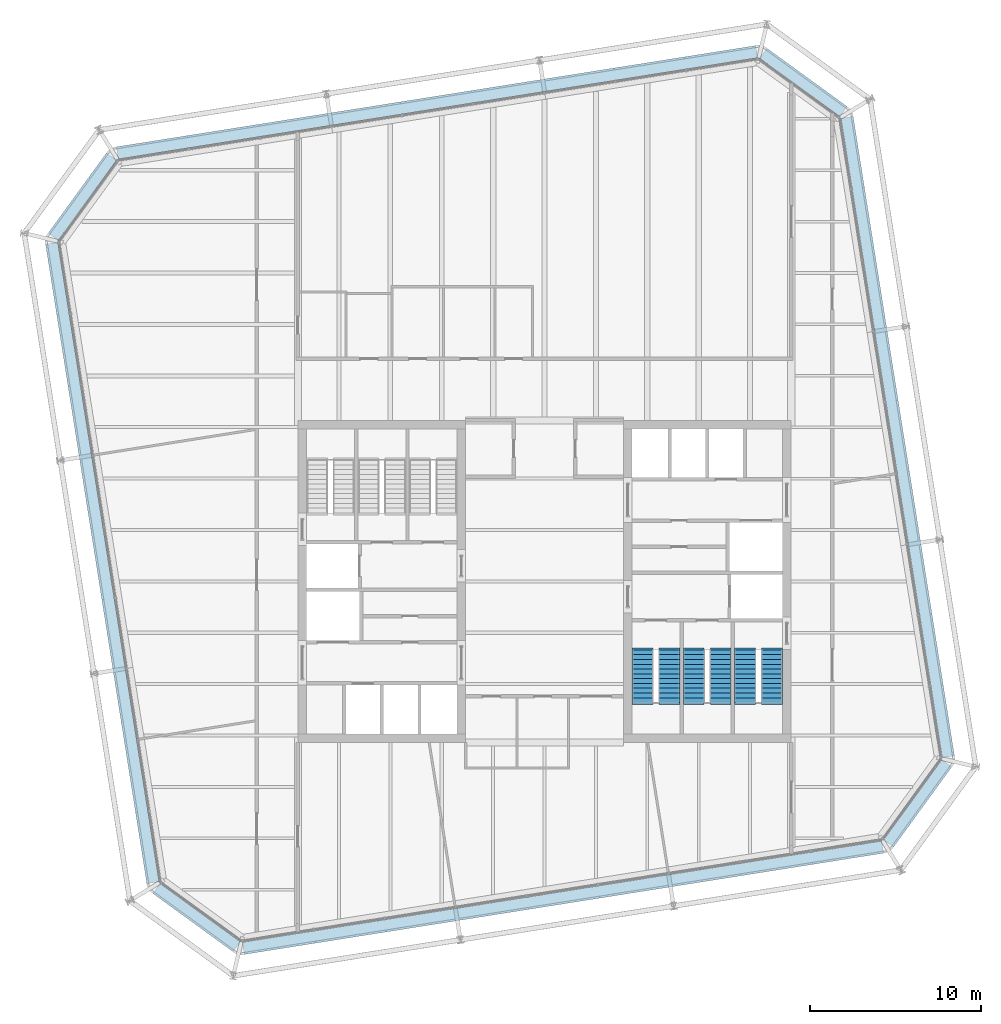
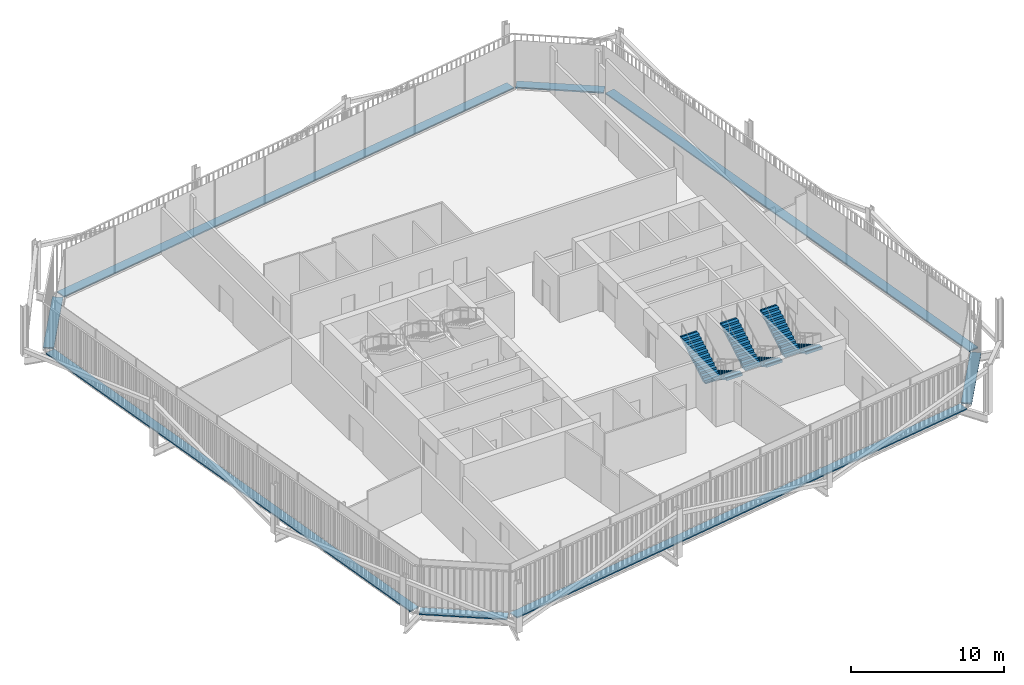
# One storey, part 20 of 21: 8 discrete accessories, 6 stair flights, 3 elements without a shape of their own.
"""IFC4 building model written with IfcOpenShell, lengths in metres."""

from ifc_helpers import new_model, si_unit, direction, frame, origin, origin_2d, place, context, subcontext, project, spatial, polyline, rectangle, outline, extrude, material, type_object, element, aggregate, save


model = new_model("IFC4")

# Units and contexts
model_context = context("Model", 3, precision=1e-05, world=origin(), true_north=direction((0.0, 1.0)))
body_context = subcontext(model_context, "Body", "Model", "MODEL_VIEW")
ifc_project = project(units=[si_unit("LENGTHUNIT", "METRE"), si_unit("AREAUNIT", "SQUARE_METRE"), si_unit("VOLUMEUNIT", "CUBIC_METRE"), si_unit("PLANEANGLEUNIT", "RADIAN"), si_unit("MASSUNIT", "GRAM", prefix="KILO")], contexts=[model_context])

# Site, building, storey
site_placement = place(None, origin())
site = spatial("IfcSite", under=ifc_project, at=site_placement, CompositionType="ELEMENT")
building_placement = place(site_placement, origin())
building = spatial("IfcBuilding", under=site, at=building_placement, Name="Millrace Tower", CompositionType="ELEMENT")
storey_placement = place(building_placement, frame((0.0, 0.0, 263.0)))
storey = spatial("IfcBuildingStorey", under=building, at=storey_placement, Name="L60", CompositionType="ELEMENT", Elevation=263.0)

# Stair, stair flights
ifc_material_1 = material(Name="Concrete C35", Category="concrete")
stair_type = type_object("IfcStairType", Name="Exit stair", PredefinedType="HALF_TURN_STAIR", material=ifc_material_1)
placement = place(storey_placement, origin())
stair_1 = element("IfcStair", 1, at=placement, inside=storey, type_object=stair_type, Name="Stair 1 E L60", PredefinedType="HALF_TURN_STAIR")
ifc_material_2 = material(Name="Concrete C35", Category="concrete")
stair_flight_type = type_object("IfcStairFlightType", Name="Exit stair flight", PredefinedType="STRAIGHT", material=ifc_material_2)
stair_flight_1_placement = place(storey_placement, frame((13.2900390625, -4.0, 0.0), z_axis=(0.0, 0.0, 1.0), x_axis=(0.0, -1.0, 0.0)))
stair_flight_1 = element("IfcStairFlight", 2, at=stair_flight_1_placement, type_object=stair_flight_type, Name="ST12 flight 1", NumberOfRisers=12, NumberOfTreads=11, PredefinedType="STRAIGHT", RiserHeight=0.1625, TreadLength=0.28, context=body_context, shape_type="SweptSolid", body=[
    extrude(outline(polyline([(-0.1201171875, -0.0400390625), (-0.1201171875, 0.0), (0.0, 0.0), (0.0, 0.16259765625), (0.280029296875, 0.16259765625), (0.280029296875, 0.324951171875), (0.56005859375, 0.324951171875), (0.56005859375, 0.487548828125), (0.840087890625, 0.487548828125), (0.840087890625, 0.64990234375), (1.1201171875, 0.64990234375), (1.1201171875, 0.8125), (1.39990234375, 0.8125), (1.39990234375, 0.97509765625), (1.679931640625, 0.97509765625), (1.679931640625, 1.137451171875), (1.9599609375, 1.137451171875), (1.9599609375, 1.300048828125), (2.239990234375, 1.300048828125), (2.239990234375, 1.46240234375), (2.52001953125, 1.46240234375), (2.52001953125, 1.625), (2.800048828125, 1.625), (2.800048828125, 1.78759765625), (3.080078125, 1.78759765625), (3.080078125, 1.8076171875), (3.199951171875, 1.8076171875), (3.199951171875, 1.6142578125), (3.080078125, 1.6142578125), (0.298583984375, 0.0), (0.298583984375, -0.0400390625), (-0.1201171875, -0.0400390625)])), frame((0.0, 0.60986328125, 0.0), z_axis=(0.0, -1.0, 0.0), x_axis=(1.0, 0.0, 0.0)), (0.0, 0.0, 1.0), 1.219970703125),
])
stair_flight_2_placement = place(storey_placement, frame((11.7099609375, -7.080078125, 1.949951171875), z_axis=(0.0, 0.0, 1.0), x_axis=(0.0, 1.0, 0.0)))
stair_flight_2 = element("IfcStairFlight", 3, at=stair_flight_2_placement, type_object=stair_flight_type, Name="ST12 flight 2", NumberOfRisers=12, NumberOfTreads=11, PredefinedType="STRAIGHT", RiserHeight=0.1625, TreadLength=0.28, context=body_context, shape_type="SweptSolid", body=[
    extrude(outline(polyline([(-0.1201171875, -0.0400390625), (-0.1201171875, 0.0), (0.0, 0.0), (0.0, 0.16259765625), (0.280029296875, 0.16259765625), (0.280029296875, 0.324951171875), (0.56005859375, 0.324951171875), (0.56005859375, 0.487548828125), (0.840087890625, 0.487548828125), (0.840087890625, 0.64990234375), (1.1201171875, 0.64990234375), (1.1201171875, 0.8125), (1.39990234375, 0.8125), (1.39990234375, 0.97509765625), (1.679931640625, 0.97509765625), (1.679931640625, 1.137451171875), (1.9599609375, 1.137451171875), (1.9599609375, 1.300048828125), (2.239990234375, 1.300048828125), (2.239990234375, 1.46240234375), (2.52001953125, 1.46240234375), (2.52001953125, 1.625), (2.800048828125, 1.625), (2.800048828125, 1.78759765625), (3.080078125, 1.78759765625), (3.080078125, 1.8076171875), (3.199951171875, 1.8076171875), (3.199951171875, 1.6142578125), (3.080078125, 1.6142578125), (0.298583984375, 0.0), (0.298583984375, -0.0400390625), (-0.1201171875, -0.0400390625)])), frame((0.0, 0.60986328125, 0.0), z_axis=(0.0, -1.0, 0.0), x_axis=(1.0, 0.0, 0.0)), (0.0, 0.0, 1.0), 1.219970703125),
])
aggregate(stair_1, [stair_flight_1, stair_flight_2])

stair_2 = element("IfcStair", 4, at=placement, inside=storey, type_object=stair_type, Name="Stair 2 E L60", PredefinedType="HALF_TURN_STAIR")
stair_flight_3_placement = place(storey_placement, frame((10.2900390625, -4.0, 0.0), z_axis=(0.0, 0.0, 1.0), x_axis=(0.0, -1.0, 0.0)))
stair_flight_3 = element("IfcStairFlight", 5, at=stair_flight_3_placement, type_object=stair_flight_type, Name="ST12 flight 1", NumberOfRisers=12, NumberOfTreads=11, PredefinedType="STRAIGHT", RiserHeight=0.1625, TreadLength=0.28, context=body_context, shape_type="SweptSolid", body=[
    extrude(outline(polyline([(-0.1201171875, -0.0400390625), (-0.1201171875, 0.0), (0.0, 0.0), (0.0, 0.16259765625), (0.280029296875, 0.16259765625), (0.280029296875, 0.324951171875), (0.56005859375, 0.324951171875), (0.56005859375, 0.487548828125), (0.840087890625, 0.487548828125), (0.840087890625, 0.64990234375), (1.1201171875, 0.64990234375), (1.1201171875, 0.8125), (1.39990234375, 0.8125), (1.39990234375, 0.97509765625), (1.679931640625, 0.97509765625), (1.679931640625, 1.137451171875), (1.9599609375, 1.137451171875), (1.9599609375, 1.300048828125), (2.239990234375, 1.300048828125), (2.239990234375, 1.46240234375), (2.52001953125, 1.46240234375), (2.52001953125, 1.625), (2.800048828125, 1.625), (2.800048828125, 1.78759765625), (3.080078125, 1.78759765625), (3.080078125, 1.8076171875), (3.199951171875, 1.8076171875), (3.199951171875, 1.6142578125), (3.080078125, 1.6142578125), (0.298583984375, 0.0), (0.298583984375, -0.0400390625), (-0.1201171875, -0.0400390625)])), frame((0.0, 0.60986328125, 0.0), z_axis=(0.0, -1.0, 0.0), x_axis=(1.0, 0.0, 0.0)), (0.0, 0.0, 1.0), 1.219970703125),
])
stair_flight_4_placement = place(storey_placement, frame((8.7099609375, -7.080078125, 1.949951171875), z_axis=(0.0, 0.0, 1.0), x_axis=(0.0, 1.0, 0.0)))
stair_flight_4 = element("IfcStairFlight", 6, at=stair_flight_4_placement, type_object=stair_flight_type, Name="ST12 flight 2", NumberOfRisers=12, NumberOfTreads=11, PredefinedType="STRAIGHT", RiserHeight=0.1625, TreadLength=0.28, context=body_context, shape_type="SweptSolid", body=[
    extrude(outline(polyline([(-0.1201171875, -0.0400390625), (-0.1201171875, 0.0), (0.0, 0.0), (0.0, 0.16259765625), (0.280029296875, 0.16259765625), (0.280029296875, 0.324951171875), (0.56005859375, 0.324951171875), (0.56005859375, 0.487548828125), (0.840087890625, 0.487548828125), (0.840087890625, 0.64990234375), (1.1201171875, 0.64990234375), (1.1201171875, 0.8125), (1.39990234375, 0.8125), (1.39990234375, 0.97509765625), (1.679931640625, 0.97509765625), (1.679931640625, 1.137451171875), (1.9599609375, 1.137451171875), (1.9599609375, 1.300048828125), (2.239990234375, 1.300048828125), (2.239990234375, 1.46240234375), (2.52001953125, 1.46240234375), (2.52001953125, 1.625), (2.800048828125, 1.625), (2.800048828125, 1.78759765625), (3.080078125, 1.78759765625), (3.080078125, 1.8076171875), (3.199951171875, 1.8076171875), (3.199951171875, 1.6142578125), (3.080078125, 1.6142578125), (0.298583984375, 0.0), (0.298583984375, -0.0400390625), (-0.1201171875, -0.0400390625)])), frame((0.0, 0.60986328125, 0.0), z_axis=(0.0, -1.0, 0.0), x_axis=(1.0, 0.0, 0.0)), (0.0, 0.0, 1.0), 1.219970703125),
])
aggregate(stair_2, [stair_flight_3, stair_flight_4])

stair_3 = element("IfcStair", 7, at=placement, inside=storey, type_object=stair_type, Name="Stair 3 E L60", PredefinedType="HALF_TURN_STAIR")
stair_flight_5_placement = place(storey_placement, frame((7.2900390625, -4.0, 0.0), z_axis=(0.0, 0.0, 1.0), x_axis=(0.0, -1.0, 0.0)))
stair_flight_5 = element("IfcStairFlight", 8, at=stair_flight_5_placement, type_object=stair_flight_type, Name="ST12 flight 1", NumberOfRisers=12, NumberOfTreads=11, PredefinedType="STRAIGHT", RiserHeight=0.1625, TreadLength=0.28, context=body_context, shape_type="SweptSolid", body=[
    extrude(outline(polyline([(-0.1201171875, -0.0400390625), (-0.1201171875, 0.0), (0.0, 0.0), (0.0, 0.16259765625), (0.280029296875, 0.16259765625), (0.280029296875, 0.324951171875), (0.56005859375, 0.324951171875), (0.56005859375, 0.487548828125), (0.840087890625, 0.487548828125), (0.840087890625, 0.64990234375), (1.1201171875, 0.64990234375), (1.1201171875, 0.8125), (1.39990234375, 0.8125), (1.39990234375, 0.97509765625), (1.679931640625, 0.97509765625), (1.679931640625, 1.137451171875), (1.9599609375, 1.137451171875), (1.9599609375, 1.300048828125), (2.239990234375, 1.300048828125), (2.239990234375, 1.46240234375), (2.52001953125, 1.46240234375), (2.52001953125, 1.625), (2.800048828125, 1.625), (2.800048828125, 1.78759765625), (3.080078125, 1.78759765625), (3.080078125, 1.8076171875), (3.199951171875, 1.8076171875), (3.199951171875, 1.6142578125), (3.080078125, 1.6142578125), (0.298583984375, 0.0), (0.298583984375, -0.0400390625), (-0.1201171875, -0.0400390625)])), frame((0.0, 0.60986328125, 0.0), z_axis=(0.0, -1.0, 0.0), x_axis=(1.0, 0.0, 0.0)), (0.0, 0.0, 1.0), 1.219970703125),
])
stair_flight_6_placement = place(storey_placement, frame((5.7099609375, -7.080078125, 1.949951171875), z_axis=(0.0, 0.0, 1.0), x_axis=(0.0, 1.0, 0.0)))
stair_flight_6 = element("IfcStairFlight", 9, at=stair_flight_6_placement, type_object=stair_flight_type, Name="ST12 flight 2", NumberOfRisers=12, NumberOfTreads=11, PredefinedType="STRAIGHT", RiserHeight=0.1625, TreadLength=0.28, context=body_context, shape_type="SweptSolid", body=[
    extrude(outline(polyline([(-0.1201171875, -0.0400390625), (-0.1201171875, 0.0), (0.0, 0.0), (0.0, 0.16259765625), (0.280029296875, 0.16259765625), (0.280029296875, 0.324951171875), (0.56005859375, 0.324951171875), (0.56005859375, 0.487548828125), (0.840087890625, 0.487548828125), (0.840087890625, 0.64990234375), (1.1201171875, 0.64990234375), (1.1201171875, 0.8125), (1.39990234375, 0.8125), (1.39990234375, 0.97509765625), (1.679931640625, 0.97509765625), (1.679931640625, 1.137451171875), (1.9599609375, 1.137451171875), (1.9599609375, 1.300048828125), (2.239990234375, 1.300048828125), (2.239990234375, 1.46240234375), (2.52001953125, 1.46240234375), (2.52001953125, 1.625), (2.800048828125, 1.625), (2.800048828125, 1.78759765625), (3.080078125, 1.78759765625), (3.080078125, 1.8076171875), (3.199951171875, 1.8076171875), (3.199951171875, 1.6142578125), (3.080078125, 1.6142578125), (0.298583984375, 0.0), (0.298583984375, -0.0400390625), (-0.1201171875, -0.0400390625)])), frame((0.0, 0.60986328125, 0.0), z_axis=(0.0, -1.0, 0.0), x_axis=(1.0, 0.0, 0.0)), (0.0, 0.0, 1.0), 1.219970703125),
])
aggregate(stair_3, [stair_flight_5, stair_flight_6])

# Discrete accessories
ifc_material_3 = material(Name="Stainless steel ASTM A240 type 316", Category="steel")
discrete_accessory_type = type_object("IfcDiscreteAccessoryType", Name="Thermally broken screen support rail", PredefinedType="BRACKET", material=ifc_material_3)
discrete_accessory_1_placement = place(storey_placement, frame((-20.314453125, -19.632080078125, 0.0), z_axis=(0.0, 0.0, 1.0), x_axis=(0.809016955361, -0.587785305991, 0.0)))
element("IfcDiscreteAccessory", 10, at=discrete_accessory_1_placement, inside=storey, type_object=discrete_accessory_type, Name="Thermally broken screen support rail D-F01 L60 1", PredefinedType="BRACKET", context=body_context, shape_type="SweptSolid", body=[
    extrude(rectangle(XDim=5.79833984375, YDim=0.719970703125, at=origin_2d()), origin(), (0.0, 0.0, 1.0), 0.10009765625),
])
discrete_accessory_2_placement = place(storey_placement, frame((1.077880859375, -18.470458984375, 0.0), z_axis=(0.0, 0.0, 1.0), x_axis=(0.987688339511, 0.156434471884, 0.0)))
element("IfcDiscreteAccessory", 11, at=discrete_accessory_2_placement, inside=storey, type_object=discrete_accessory_type, Name="Thermally broken screen support rail D-F02 L60 1", PredefinedType="BRACKET", context=body_context, shape_type="SweptSolid", body=[
    extrude(rectangle(XDim=37.800048828125, YDim=0.719970703125, at=origin_2d()), origin(), (0.0, 0.0, 1.0), 0.10009765625),
])
discrete_accessory_3_placement = place(storey_placement, frame((21.781982421875, -12.964599609375, 0.0), z_axis=(0.0, 0.0, 1.0), x_axis=(0.587785305991, 0.809016955361, 0.0)))
element("IfcDiscreteAccessory", 12, at=discrete_accessory_3_placement, inside=storey, type_object=discrete_accessory_type, Name="Thermally broken screen support rail D-F03 L60 1", PredefinedType="BRACKET", context=body_context, shape_type="SweptSolid", body=[
    extrude(rectangle(XDim=5.79833984375, YDim=0.719970703125, at=origin_2d()), origin(), (0.0, 0.0, 1.0), 0.10009765625),
])
discrete_accessory_4_placement = place(storey_placement, frame((20.62060546875, 8.427734375, 0.0), z_axis=(0.0, 0.0, 1.0), x_axis=(-0.156434471884, 0.987688339511, 0.0)))
element("IfcDiscreteAccessory", 13, at=discrete_accessory_4_placement, inside=storey, type_object=discrete_accessory_type, Name="Thermally broken screen support rail D-F04 L60 1", PredefinedType="BRACKET", context=body_context, shape_type="SweptSolid", body=[
    extrude(rectangle(XDim=37.800048828125, YDim=0.719970703125, at=origin_2d()), origin(), (0.0, 0.0, 1.0), 0.10009765625),
])
discrete_accessory_5_placement = place(storey_placement, frame((15.114501953125, 29.132080078125, 0.0), z_axis=(0.0, 0.0, 1.0), x_axis=(-0.809016955361, 0.587785305991, 0.0)))
element("IfcDiscreteAccessory", 14, at=discrete_accessory_5_placement, inside=storey, type_object=discrete_accessory_type, Name="Thermally broken screen support rail D-F05 L60 1", PredefinedType="BRACKET", context=body_context, shape_type="SweptSolid", body=[
    extrude(rectangle(XDim=5.79833984375, YDim=0.719970703125, at=origin_2d()), origin(), (0.0, 0.0, 1.0), 0.10009765625),
])
discrete_accessory_6_placement = place(storey_placement, frame((-6.27783203125, 27.970458984375, 0.0), z_axis=(0.0, 0.0, 1.0), x_axis=(-0.987688339511, -0.156434471884, 0.0)))
element("IfcDiscreteAccessory", 15, at=discrete_accessory_6_placement, inside=storey, type_object=discrete_accessory_type, Name="Thermally broken screen support rail D-F06 L60 1", PredefinedType="BRACKET", context=body_context, shape_type="SweptSolid", body=[
    extrude(rectangle(XDim=37.800048828125, YDim=0.719970703125, at=origin_2d()), origin(), (0.0, 0.0, 1.0), 0.10009765625),
])
discrete_accessory_7_placement = place(storey_placement, frame((-26.98193359375, 22.464599609375, 0.0), z_axis=(0.0, 0.0, 1.0), x_axis=(-0.587785305991, -0.809016955361, 0.0)))
element("IfcDiscreteAccessory", 16, at=discrete_accessory_7_placement, inside=storey, type_object=discrete_accessory_type, Name="Thermally broken screen support rail D-F07 L60 1", PredefinedType="BRACKET", context=body_context, shape_type="SweptSolid", body=[
    extrude(rectangle(XDim=5.79833984375, YDim=0.719970703125, at=origin_2d()), origin(), (0.0, 0.0, 1.0), 0.10009765625),
])
discrete_accessory_8_placement = place(storey_placement, frame((-25.820556640625, 1.072265625, 0.0), z_axis=(0.0, 0.0, 1.0), x_axis=(0.156434471884, -0.987688339511, 0.0)))
element("IfcDiscreteAccessory", 17, at=discrete_accessory_8_placement, inside=storey, type_object=discrete_accessory_type, Name="Thermally broken screen support rail D-F08 L60 1", PredefinedType="BRACKET", context=body_context, shape_type="SweptSolid", body=[
    extrude(rectangle(XDim=37.800048828125, YDim=0.719970703125, at=origin_2d()), origin(), (0.0, 0.0, 1.0), 0.10009765625),
])

save(model, "model.ifc")
